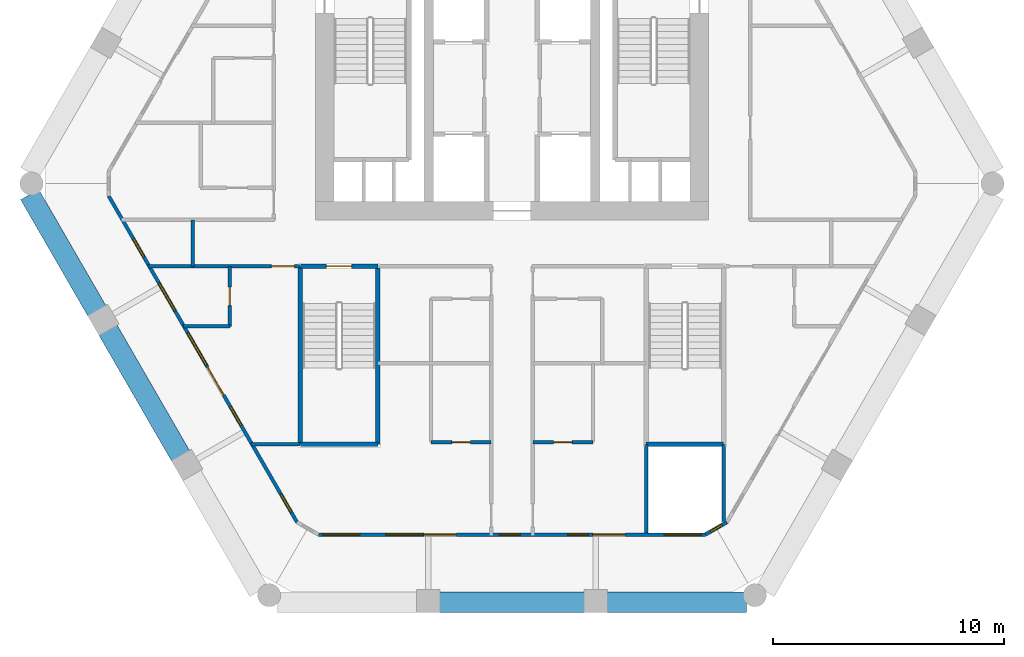
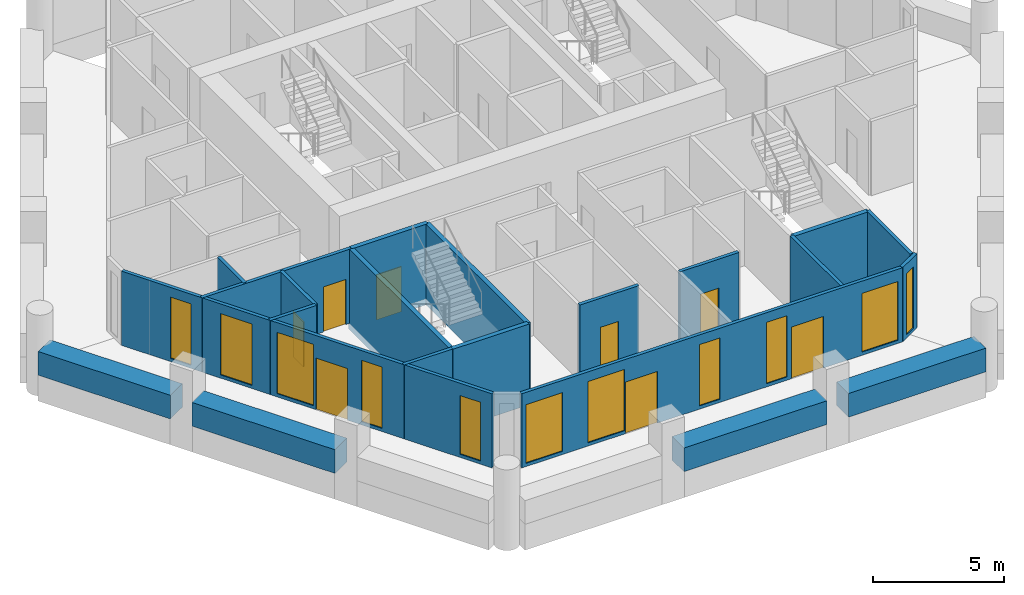
# One storey, part 2 of 7: 21 walls, 11 windows, 8 doors, 19 openings.
"""IFC4 building model written with IfcOpenShell, lengths in metres."""

from ifc_helpers import new_model, si_unit, direction, frame, frame_2d, origin, place, context, subcontext, project, spatial, rectangle, extrude, material, layer, layer_set, type_object, element, fill, save


model = new_model("IFC4")

# Units and contexts
model_context = context("Model", 3, precision=1e-05, world=origin(), true_north=direction((0.0, 1.0)))
body_context = subcontext(model_context, "Body", "Model", "MODEL_VIEW")
ifc_project = project(units=[si_unit("LENGTHUNIT", "METRE"), si_unit("AREAUNIT", "SQUARE_METRE"), si_unit("VOLUMEUNIT", "CUBIC_METRE"), si_unit("PLANEANGLEUNIT", "RADIAN"), si_unit("MASSUNIT", "GRAM", prefix="KILO")], contexts=[model_context])

# Site, building, storey
site_placement = place(None, origin())
site = spatial("IfcSite", under=ifc_project, at=site_placement, CompositionType="ELEMENT")
building_placement = place(site_placement, origin())
building = spatial("IfcBuilding", under=site, at=building_placement, Name="Ostrander Bayou Hotel Tower", CompositionType="ELEMENT")
storey_placement = place(building_placement, frame((0.0, 0.0, 160.75)))
storey = spatial("IfcBuildingStorey", under=building, at=storey_placement, Name="L39", CompositionType="ELEMENT", Elevation=160.75)

# Wall, openings, door, windows
ifc_material_1 = material(Name="Aluminium framed insulated wall", Category="aluminium")
ifc_layer_1 = layer(ifc_material_1, 0.14990234375)
ifc_layer_set_1 = layer_set([ifc_layer_1], Name="GW1 glass-line wall 150 mm")
wall_type_1 = type_object("IfcWallType", Name="GW1 glass-line wall 150 mm", PredefinedType="SOLIDWALL", material=ifc_layer_set_1)
wall_1_placement = place(storey_placement, frame((-17.42822265625, -0.663330078125, 0.0), z_axis=(0.0, 0.0, 1.0), x_axis=(0.499985985267, -0.866033495043, 0.0)))
wall_1 = element("IfcWall", 1, at=wall_1_placement, inside=storey, type_object=wall_type_1, Name="GW1 L39 SW 1", PredefinedType="SOLIDWALL", context=body_context, shape_type="SweptSolid", body=[
    extrude(rectangle(XDim=16.279296875, YDim=0.14990234375, at=frame_2d((8.1396484375, 0.0))), origin(), (0.0, 0.0, 1.0), 3.449951171875),
])
opening_1_placement = place(wall_1_placement, frame((2.1396484375, 0.0, 0.14990234375)))
opening_1 = element("IfcOpeningElement", 2, at=opening_1_placement, cuts=wall_1, Name="Opening W17", PredefinedType="OPENING", context=body_context, shape_type="SweptSolid", body=[
    extrude(rectangle(XDim=0.89990234375, YDim=2.85009765625, at=frame_2d((0.449951171875, 1.425048828125))), frame((0.0, 0.074951171875, 0.0), z_axis=(0.0, -1.0, 0.0), x_axis=(1.0, 0.0, 0.0)), (0.0, 0.0, 1.0), 0.14990234375),
])
opening_2_placement = place(wall_1_placement, frame((4.339599609375, 0.0, 0.14990234375)))
opening_2 = element("IfcOpeningElement", 3, at=opening_2_placement, cuts=wall_1, Name="Opening W13", PredefinedType="OPENING", context=body_context, shape_type="SweptSolid", body=[
    extrude(rectangle(XDim=1.39990234375, YDim=2.85009765625, at=frame_2d((0.699951171875, 1.425048828125))), frame((0.0, 0.074951171875, 0.0), z_axis=(0.0, -1.0, 0.0), x_axis=(1.0, 0.0, 0.0)), (0.0, 0.0, 1.0), 0.14990234375),
])
opening_3_placement = place(wall_1_placement, frame((6.83251953125, 0.0, 0.14990234375)))
opening_3 = element("IfcOpeningElement", 4, at=opening_3_placement, cuts=wall_1, Name="Opening W3", PredefinedType="OPENING", context=body_context, shape_type="SweptSolid", body=[
    extrude(rectangle(XDim=1.60009765625, YDim=2.85009765625, at=frame_2d((0.800048828125, 1.425048828125))), frame((0.0, 0.074951171875, 0.0), z_axis=(0.0, -1.0, 0.0), x_axis=(1.0, 0.0, 0.0)), (0.0, 0.0, 1.0), 0.14990234375),
])
opening_4_placement = place(wall_1_placement, frame((8.53955078125, 0.0, 0.0)))
opening_4 = element("IfcOpeningElement", 5, at=opening_4_placement, cuts=wall_1, Name="Opening T38-801", PredefinedType="OPENING", context=body_context, shape_type="SweptSolid", body=[
    extrude(rectangle(XDim=1.39990234375, YDim=2.39990234375, at=frame_2d((0.699951171875, 1.199951171875))), frame((0.0, 0.074951171875, 0.0), z_axis=(0.0, -1.0, 0.0), x_axis=(1.0, 0.0, 0.0)), (0.0, 0.0, 1.0), 0.14990234375),
])
opening_5_placement = place(wall_1_placement, frame((10.53955078125, 0.0, 0.14990234375)))
opening_5 = element("IfcOpeningElement", 6, at=opening_5_placement, cuts=wall_1, Name="Opening W17", PredefinedType="OPENING", context=body_context, shape_type="SweptSolid", body=[
    extrude(rectangle(XDim=0.89990234375, YDim=2.85009765625, at=frame_2d((0.449951171875, 1.425048828125))), frame((0.0, 0.074951171875, 0.0), z_axis=(0.0, -1.0, 0.0), x_axis=(1.0, 0.0, 0.0)), (0.0, 0.0, 1.0), 0.14990234375),
])
opening_6_placement = place(wall_1_placement, frame((14.877197265625, 0.0, 0.14990234375)))
opening_6 = element("IfcOpeningElement", 7, at=opening_6_placement, cuts=wall_1, Name="Opening W17", PredefinedType="OPENING", context=body_context, shape_type="SweptSolid", body=[
    extrude(rectangle(XDim=0.89990234375, YDim=2.72998046875, at=frame_2d((0.449951171875, 1.364990234375))), frame((0.0, 0.074951171875, 0.0), z_axis=(0.0, -1.0, 0.0), x_axis=(1.0, 0.0, 0.0)), (0.0, 0.0, 1.0), 0.14990234375),
])
ifc_material_2 = material(Name="Aluminium and clear glass", Category="aluminium")
door_type_1 = type_object("IfcDoorType", Name="SD3 sliding glass door 1400 mm, zone 3", OperationType="SLIDING_TO_LEFT", PredefinedType="DOOR", material=ifc_material_2)
door_1_placement = place(opening_4_placement, origin())
door_1 = element("IfcDoor", 8, at=door_1_placement, inside=storey, type_object=door_type_1, Name="SD3 L39 SW 2", OperationType="SLIDING_TO_RIGHT", OverallHeight=2.39990234375, OverallWidth=1.39990234375, PredefinedType="DOOR", context=body_context, shape_type="SweptSolid", body=[
    extrude(rectangle(XDim=1.39990234375, YDim=2.39990234375, at=frame_2d((0.699951171875, 1.199951171875))), frame((0.0, 0.02490234375, 0.0), z_axis=(0.0, -1.0, 0.0), x_axis=(1.0, 0.0, 0.0)), (0.0, 0.0, 1.0), 0.050048828125),
])
fill(opening_4, door_1)
ifc_material_3 = material(Name="Aluminium and clear glass", Category="aluminium")
window_type_1 = type_object("IfcWindowType", Name="W13 fixed window 1400 mm, bath bay, zone 3", PartitioningType="SINGLE_PANEL", PredefinedType="WINDOW", material=ifc_material_3)
window_1_placement = place(opening_2_placement, origin())
window_1 = element("IfcWindow", 9, at=window_1_placement, inside=storey, type_object=window_type_1, Name="W13 L39 SW 1", OverallHeight=2.85009765625, OverallWidth=1.39990234375, PartitioningType="SINGLE_PANEL", PredefinedType="WINDOW", context=body_context, shape_type="SweptSolid", body=[
    extrude(rectangle(XDim=1.39990234375, YDim=2.85009765625, at=frame_2d((0.699951171875, 1.425048828125))), frame((0.0, 0.030029296875, 0.0), z_axis=(0.0, -1.0, 0.0), x_axis=(1.0, 0.0, 0.0)), (0.0, 0.0, 1.0), 0.06005859375),
])
fill(opening_2, window_1)
ifc_material_4 = material(Name="Aluminium and clear glass", Category="aluminium")
window_type_2 = type_object("IfcWindowType", Name="W17 window 900 mm, zone 3", PartitioningType="SINGLE_PANEL", PredefinedType="WINDOW", material=ifc_material_4)
window_2_placement = place(opening_1_placement, origin())
window_2 = element("IfcWindow", 10, at=window_2_placement, inside=storey, type_object=window_type_2, Name="W17 L39 SW 1", OverallHeight=2.85009765625, OverallWidth=0.89990234375, PartitioningType="SINGLE_PANEL", PredefinedType="WINDOW", context=body_context, shape_type="SweptSolid", body=[
    extrude(rectangle(XDim=0.89990234375, YDim=2.85009765625, at=frame_2d((0.449951171875, 1.425048828125))), frame((0.0, 0.030029296875, 0.0), z_axis=(0.0, -1.0, 0.0), x_axis=(1.0, 0.0, 0.0)), (0.0, 0.0, 1.0), 0.06005859375),
])
fill(opening_1, window_2)
window_3_placement = place(opening_5_placement, origin())
window_3 = element("IfcWindow", 11, at=window_3_placement, inside=storey, type_object=window_type_2, Name="W17 L39 SW 3", OverallHeight=2.85009765625, OverallWidth=0.89990234375, PartitioningType="SINGLE_PANEL", PredefinedType="WINDOW", context=body_context, shape_type="SweptSolid", body=[
    extrude(rectangle(XDim=0.89990234375, YDim=2.85009765625, at=frame_2d((0.449951171875, 1.425048828125))), frame((0.0, 0.030029296875, 0.0), z_axis=(0.0, -1.0, 0.0), x_axis=(1.0, 0.0, 0.0)), (0.0, 0.0, 1.0), 0.06005859375),
])
fill(opening_5, window_3)
window_4_placement = place(opening_6_placement, origin())
window_4 = element("IfcWindow", 12, at=window_4_placement, inside=storey, type_object=window_type_2, Name="W17 L39 SW E21", OverallHeight=2.72998046875, OverallWidth=0.89990234375, PartitioningType="SINGLE_PANEL", PredefinedType="WINDOW", context=body_context, shape_type="SweptSolid", body=[
    extrude(rectangle(XDim=0.89990234375, YDim=2.72998046875, at=frame_2d((0.449951171875, 1.364990234375))), frame((0.0, 0.030029296875, 0.0), z_axis=(0.0, -1.0, 0.0), x_axis=(1.0, 0.0, 0.0)), (0.0, 0.0, 1.0), 0.06005859375),
])
fill(opening_6, window_4)
ifc_material_5 = material(Name="Aluminium and clear glass", Category="aluminium")
window_type_3 = type_object("IfcWindowType", Name="W3 fixed window 1600 mm, zone 3", PartitioningType="SINGLE_PANEL", PredefinedType="WINDOW", material=ifc_material_5)
window_5_placement = place(opening_3_placement, origin())
window_5 = element("IfcWindow", 13, at=window_5_placement, inside=storey, type_object=window_type_3, Name="W3 L39 SW 2", OverallHeight=2.85009765625, OverallWidth=1.60009765625, PartitioningType="SINGLE_PANEL", PredefinedType="WINDOW", context=body_context, shape_type="SweptSolid", body=[
    extrude(rectangle(XDim=1.60009765625, YDim=2.85009765625, at=frame_2d((0.800048828125, 1.425048828125))), frame((0.0, 0.030029296875, 0.0), z_axis=(0.0, -1.0, 0.0), x_axis=(1.0, 0.0, 0.0)), (0.0, 0.0, 1.0), 0.06005859375),
])
fill(opening_3, window_5)

# Wall, openings, doors, windows
wall_2_placement = place(storey_placement, frame((-8.3662109375, -15.294189453125, 0.0), z_axis=(0.0, 0.0, 1.0), x_axis=(1.0, 0.0, 0.0)))
wall_2 = element("IfcWall", 14, at=wall_2_placement, inside=storey, type_object=wall_type_1, Name="GW1 L39 S 1", PredefinedType="SOLIDWALL", context=body_context, shape_type="SweptSolid", body=[
    extrude(rectangle(XDim=16.732421875, YDim=0.14990234375, at=frame_2d((8.3662109375, 0.0))), origin(), (0.0, 0.0, 1.0), 3.449951171875),
])
opening_7_placement = place(wall_2_placement, frame((2.916259765625, 0.0, 0.14990234375)))
opening_7 = element("IfcOpeningElement", 15, at=opening_7_placement, cuts=wall_2, Name="Opening W3", PredefinedType="OPENING", context=body_context, shape_type="SweptSolid", body=[
    extrude(rectangle(XDim=1.60009765625, YDim=2.85009765625, at=frame_2d((0.800048828125, 1.425048828125))), frame((0.0, 0.074951171875, 0.0), z_axis=(0.0, -1.0, 0.0), x_axis=(1.0, 0.0, 0.0)), (0.0, 0.0, 1.0), 0.14990234375),
])
opening_8_placement = place(wall_2_placement, frame((4.56640625, 0.0, 0.0)))
opening_8 = element("IfcOpeningElement", 16, at=opening_8_placement, cuts=wall_2, Name="Opening T38-802", PredefinedType="OPENING", context=body_context, shape_type="SweptSolid", body=[
    extrude(rectangle(XDim=1.39990234375, YDim=2.39990234375, at=frame_2d((0.699951171875, 1.199951171875))), frame((0.0, 0.074951171875, 0.0), z_axis=(0.0, -1.0, 0.0), x_axis=(1.0, 0.0, 0.0)), (0.0, 0.0, 1.0), 0.14990234375),
])
opening_9_placement = place(wall_2_placement, frame((7.81640625, 0.0, 0.14990234375)))
opening_9 = element("IfcOpeningElement", 17, at=opening_9_placement, cuts=wall_2, Name="Opening W17", PredefinedType="OPENING", context=body_context, shape_type="SweptSolid", body=[
    extrude(rectangle(XDim=0.89990234375, YDim=2.85009765625, at=frame_2d((0.449951171875, 1.425048828125))), frame((0.0, 0.074951171875, 0.0), z_axis=(0.0, -1.0, 0.0), x_axis=(1.0, 0.0, 0.0)), (0.0, 0.0, 1.0), 0.14990234375),
])
opening_10_placement = place(wall_2_placement, frame((10.766357421875, 0.0, 0.14990234375)))
opening_10 = element("IfcOpeningElement", 18, at=opening_10_placement, cuts=wall_2, Name="Opening W17", PredefinedType="OPENING", context=body_context, shape_type="SweptSolid", body=[
    extrude(rectangle(XDim=0.89990234375, YDim=2.85009765625, at=frame_2d((0.449951171875, 1.425048828125))), frame((0.0, 0.074951171875, 0.0), z_axis=(0.0, -1.0, 0.0), x_axis=(1.0, 0.0, 0.0)), (0.0, 0.0, 1.0), 0.14990234375),
])
opening_11_placement = place(wall_2_placement, frame((11.8662109375, 0.0, 0.0)))
opening_11 = element("IfcOpeningElement", 19, at=opening_11_placement, cuts=wall_2, Name="Opening T38-803", PredefinedType="OPENING", context=body_context, shape_type="SweptSolid", body=[
    extrude(rectangle(XDim=1.39990234375, YDim=2.39990234375, at=frame_2d((0.699951171875, 1.199951171875))), frame((0.0, 0.074951171875, 0.0), z_axis=(0.0, -1.0, 0.0), x_axis=(1.0, 0.0, 0.0)), (0.0, 0.0, 1.0), 0.14990234375),
])
opening_12_placement = place(wall_2_placement, frame((0.18310546875, 0.0, 0.14990234375)))
opening_12 = element("IfcOpeningElement", 20, at=opening_12_placement, cuts=wall_2, Name="Opening W3", PredefinedType="OPENING", context=body_context, shape_type="SweptSolid", body=[
    extrude(rectangle(XDim=1.60009765625, YDim=2.72998046875, at=frame_2d((0.800048828125, 1.364990234375))), frame((0.0, 0.074951171875, 0.0), z_axis=(0.0, -1.0, 0.0), x_axis=(1.0, 0.0, 0.0)), (0.0, 0.0, 1.0), 0.14990234375),
])
opening_13_placement = place(wall_2_placement, frame((14.949462890625, 0.0, 0.14990234375)))
opening_13 = element("IfcOpeningElement", 21, at=opening_13_placement, cuts=wall_2, Name="Opening W3", PredefinedType="OPENING", context=body_context, shape_type="SweptSolid", body=[
    extrude(rectangle(XDim=1.60009765625, YDim=2.72998046875, at=frame_2d((0.800048828125, 1.364990234375))), frame((0.0, 0.074951171875, 0.0), z_axis=(0.0, -1.0, 0.0), x_axis=(1.0, 0.0, 0.0)), (0.0, 0.0, 1.0), 0.14990234375),
])
door_2_placement = place(opening_8_placement, origin())
door_2 = element("IfcDoor", 22, at=door_2_placement, inside=storey, type_object=door_type_1, Name="SD3 L39 S 1", OperationType="SLIDING_TO_LEFT", OverallHeight=2.39990234375, OverallWidth=1.39990234375, PredefinedType="DOOR", context=body_context, shape_type="SweptSolid", body=[
    extrude(rectangle(XDim=1.39990234375, YDim=2.39990234375, at=frame_2d((0.699951171875, 1.199951171875))), frame((0.0, 0.02490234375, 0.0), z_axis=(0.0, -1.0, 0.0), x_axis=(1.0, 0.0, 0.0)), (0.0, 0.0, 1.0), 0.050048828125),
])
fill(opening_8, door_2)
door_3_placement = place(opening_11_placement, origin())
door_3 = element("IfcDoor", 23, at=door_3_placement, inside=storey, type_object=door_type_1, Name="SD3 L39 S 3", OperationType="SLIDING_TO_LEFT", OverallHeight=2.39990234375, OverallWidth=1.39990234375, PredefinedType="DOOR", context=body_context, shape_type="SweptSolid", body=[
    extrude(rectangle(XDim=1.39990234375, YDim=2.39990234375, at=frame_2d((0.699951171875, 1.199951171875))), frame((0.0, 0.02490234375, 0.0), z_axis=(0.0, -1.0, 0.0), x_axis=(1.0, 0.0, 0.0)), (0.0, 0.0, 1.0), 0.050048828125),
])
fill(opening_11, door_3)
window_6_placement = place(opening_9_placement, origin())
window_6 = element("IfcWindow", 24, at=window_6_placement, inside=storey, type_object=window_type_2, Name="W17 L39 S 2", OverallHeight=2.85009765625, OverallWidth=0.89990234375, PartitioningType="SINGLE_PANEL", PredefinedType="WINDOW", context=body_context, shape_type="SweptSolid", body=[
    extrude(rectangle(XDim=0.89990234375, YDim=2.85009765625, at=frame_2d((0.449951171875, 1.425048828125))), frame((0.0, 0.030029296875, 0.0), z_axis=(0.0, -1.0, 0.0), x_axis=(1.0, 0.0, 0.0)), (0.0, 0.0, 1.0), 0.06005859375),
])
fill(opening_9, window_6)
window_7_placement = place(opening_10_placement, origin())
window_7 = element("IfcWindow", 25, at=window_7_placement, inside=storey, type_object=window_type_2, Name="W17 L39 S 3", OverallHeight=2.85009765625, OverallWidth=0.89990234375, PartitioningType="SINGLE_PANEL", PredefinedType="WINDOW", context=body_context, shape_type="SweptSolid", body=[
    extrude(rectangle(XDim=0.89990234375, YDim=2.85009765625, at=frame_2d((0.449951171875, 1.425048828125))), frame((0.0, 0.030029296875, 0.0), z_axis=(0.0, -1.0, 0.0), x_axis=(1.0, 0.0, 0.0)), (0.0, 0.0, 1.0), 0.06005859375),
])
fill(opening_10, window_7)
window_8_placement = place(opening_7_placement, origin())
window_8 = element("IfcWindow", 26, at=window_8_placement, inside=storey, type_object=window_type_3, Name="W3 L39 S 1", OverallHeight=2.85009765625, OverallWidth=1.60009765625, PartitioningType="SINGLE_PANEL", PredefinedType="WINDOW", context=body_context, shape_type="SweptSolid", body=[
    extrude(rectangle(XDim=1.60009765625, YDim=2.85009765625, at=frame_2d((0.800048828125, 1.425048828125))), frame((0.0, 0.030029296875, 0.0), z_axis=(0.0, -1.0, 0.0), x_axis=(1.0, 0.0, 0.0)), (0.0, 0.0, 1.0), 0.06005859375),
])
fill(opening_7, window_8)
window_9_placement = place(opening_12_placement, origin())
window_9 = element("IfcWindow", 27, at=window_9_placement, inside=storey, type_object=window_type_3, Name="W3 L39 S E11", OverallHeight=2.72998046875, OverallWidth=1.60009765625, PartitioningType="SINGLE_PANEL", PredefinedType="WINDOW", context=body_context, shape_type="SweptSolid", body=[
    extrude(rectangle(XDim=1.60009765625, YDim=2.72998046875, at=frame_2d((0.800048828125, 1.364990234375))), frame((0.0, 0.030029296875, 0.0), z_axis=(0.0, -1.0, 0.0), x_axis=(1.0, 0.0, 0.0)), (0.0, 0.0, 1.0), 0.06005859375),
])
fill(opening_12, window_9)
window_10_placement = place(opening_13_placement, origin())
window_10 = element("IfcWindow", 28, at=window_10_placement, inside=storey, type_object=window_type_3, Name="W3 L39 S E21", OverallHeight=2.72998046875, OverallWidth=1.60009765625, PartitioningType="SINGLE_PANEL", PredefinedType="WINDOW", context=body_context, shape_type="SweptSolid", body=[
    extrude(rectangle(XDim=1.60009765625, YDim=2.72998046875, at=frame_2d((0.800048828125, 1.364990234375))), frame((0.0, 0.030029296875, 0.0), z_axis=(0.0, -1.0, 0.0), x_axis=(1.0, 0.0, 0.0)), (0.0, 0.0, 1.0), 0.06005859375),
])
fill(opening_13, window_10)

# Wall, opening, window
wall_3_placement = place(storey_placement, frame((8.3662109375, -15.294189453125, 0.0), z_axis=(0.0, 0.0, 1.0), x_axis=(0.866105447774, 0.499861334108, 0.0)))
wall_3 = element("IfcWall", 29, at=wall_3_placement, inside=storey, type_object=wall_type_1, Name="GW1 L39 corner 4", PredefinedType="SOLIDWALL", context=body_context, shape_type="SweptSolid", body=[
    extrude(rectangle(XDim=1.065185546875, YDim=0.14990234375, at=frame_2d((0.53271484375, 0.0))), origin(), (0.0, 0.0, 1.0), 3.449951171875),
])
opening_14_placement = place(wall_3_placement, frame((0.257568359375, 0.0, 0.14990234375)))
opening_14 = element("IfcOpeningElement", 30, at=opening_14_placement, cuts=wall_3, Name="Opening W19", PredefinedType="OPENING", context=body_context, shape_type="SweptSolid", body=[
    extrude(rectangle(XDim=0.550048828125, YDim=2.85009765625, at=frame_2d((0.27490234375, 1.425048828125))), frame((0.0, 0.074951171875, 0.0), z_axis=(0.0, -1.0, 0.0), x_axis=(1.0, 0.0, 0.0)), (0.0, 0.0, 1.0), 0.14990234375),
])
ifc_material_6 = material(Name="Aluminium and clear glass", Category="aluminium")
window_type_4 = type_object("IfcWindowType", Name="W19 corner window 550 mm", PartitioningType="SINGLE_PANEL", PredefinedType="WINDOW", material=ifc_material_6)
window_11_placement = place(opening_14_placement, origin())
window_11 = element("IfcWindow", 31, at=window_11_placement, inside=storey, type_object=window_type_4, Name="W19 L39 corner 4", OverallHeight=2.85009765625, OverallWidth=0.550048828125, PartitioningType="SINGLE_PANEL", PredefinedType="WINDOW", context=body_context, shape_type="SweptSolid", body=[
    extrude(rectangle(XDim=0.550048828125, YDim=2.85009765625, at=frame_2d((0.27490234375, 1.425048828125))), frame((0.0, 0.030029296875, 0.0), z_axis=(0.0, -1.0, 0.0), x_axis=(1.0, 0.0, 0.0)), (0.0, 0.0, 1.0), 0.06005859375),
])
fill(opening_14, window_11)

# Walls
ifc_material_7 = material(Name="Concrete f'c 40 MPa", Category="concrete")
ifc_layer_2 = layer(ifc_material_7, 0.89990234375)
ifc_layer_set_2 = layer_set([ifc_layer_2], Name="PA1 stone-faced parapet 900 mm")
wall_type_2 = type_object("IfcWallType", Name="PA1 stone-faced parapet 900 mm", PredefinedType="PARAPET", material=ifc_layer_set_2)
wall_4_placement = place(storey_placement, frame((-3.148193359375, -18.218994140625, 0.0), z_axis=(0.0, 0.0, 1.0), x_axis=(1.0, 0.0, 0.0)))
element("IfcWall", 32, at=wall_4_placement, inside=storey, type_object=wall_type_2, Name="PA1 L39 S-2", PredefinedType="PARAPET", context=body_context, shape_type="SweptSolid", body=[
    extrude(rectangle(XDim=6.29638671875, YDim=0.89990234375, at=frame_2d((3.148193359375, 0.0))), origin(), (0.0, 0.0, 1.0), 1.10009765625),
])
wall_5_placement = place(storey_placement, frame((4.088134765625, -18.218994140625, 0.0), z_axis=(0.0, 0.0, 1.0), x_axis=(1.0, 0.0, 0.0)))
element("IfcWall", 33, at=wall_5_placement, inside=storey, type_object=wall_type_2, Name="PA1 L39 S-3", PredefinedType="PARAPET", context=body_context, shape_type="SweptSolid", body=[
    extrude(rectangle(XDim=6.03955078125, YDim=0.89990234375, at=frame_2d((3.019775390625, 0.0))), origin(), (0.0, 0.0, 1.0), 1.10009765625),
])
ifc_material_8 = material(Name="Limestone masonry", Category="masonry")
ifc_layer_3 = layer(ifc_material_8, 0.89990234375)
ifc_layer_set_3 = layer_set([ifc_layer_3], Name="PA2 limestone parapet 900 mm")
wall_type_3 = type_object("IfcWallType", Name="PA2 limestone parapet 900 mm", PredefinedType="PARAPET", material=ifc_layer_set_3)
wall_6_placement = place(storey_placement, frame((-20.842041015625, -0.6005859375, 0.0), z_axis=(0.0, 0.0, 1.0), x_axis=(0.500019366424, -0.866014222285, 0.0)))
element("IfcWall", 34, at=wall_6_placement, inside=storey, type_object=wall_type_3, Name="PA2 L39 SW-1", PredefinedType="PARAPET", context=body_context, shape_type="SweptSolid", body=[
    extrude(rectangle(XDim=5.812744140625, YDim=0.89990234375, at=frame_2d((2.90625, 0.0))), origin(), (0.0, 0.0, 1.0), 1.10009765625),
])
wall_7_placement = place(storey_placement, frame((-17.465576171875, -6.44873046875, 0.0), z_axis=(0.0, 0.0, 1.0), x_axis=(0.500013351051, -0.866017695414, 0.0)))
element("IfcWall", 35, at=wall_7_placement, inside=storey, type_object=wall_type_3, Name="PA2 L39 SW-2", PredefinedType="PARAPET", context=body_context, shape_type="SweptSolid", body=[
    extrude(rectangle(XDim=6.296142578125, YDim=0.89990234375, at=frame_2d((3.14794921875, 0.0))), origin(), (0.0, 0.0, 1.0), 1.10009765625),
])
ifc_material_9 = material(Name="Gypsum board partition", Category="finish")
ifc_layer_4 = layer(ifc_material_9, 0.14990234375)
ifc_layer_set_4 = layer_set([ifc_layer_4], Name="PT7 riser wall 150 mm, 2 hour")
wall_type_4 = type_object("IfcWallType", Name="PT7 riser wall 150 mm, 2 hour", PredefinedType="PARTITIONING", material=ifc_layer_set_4)
wall_8_placement = place(storey_placement, frame((5.800048828125, -11.39990234375, 0.0), z_axis=(0.0, 0.0, 1.0), x_axis=(0.0, -1.0, 0.0)))
element("IfcWall", 36, at=wall_8_placement, inside=storey, type_object=wall_type_4, Name="cs:L39:021", PredefinedType="PARTITIONING", context=body_context, shape_type="SweptSolid", body=[
    extrude(rectangle(XDim=3.819091796875, YDim=0.14990234375, at=frame_2d((1.90966796875, 0.0))), origin(), (0.0, 0.0, 1.0), 3.449951171875),
])
wall_9_placement = place(storey_placement, frame((9.14990234375, -11.39990234375, 0.0), z_axis=(0.0, 0.0, 1.0), x_axis=(0.0, -1.0, 0.0)))
element("IfcWall", 37, at=wall_9_placement, inside=storey, type_object=wall_type_4, Name="cs:L39:022", PredefinedType="PARTITIONING", context=body_context, shape_type="SweptSolid", body=[
    extrude(rectangle(XDim=3.323486328125, YDim=0.14990234375, at=frame_2d((1.66162109375, 0.0))), origin(), (0.0, 0.0, 1.0), 3.449951171875),
])
ifc_material_10 = material(Name="Gypsum board partition", Category="finish")
ifc_layer_5 = layer(ifc_material_10, 0.14990234375)
ifc_layer_set_5 = layer_set([ifc_layer_5], Name="PT8 service band wall 150 mm, 1 hour")
wall_type_5 = type_object("IfcWallType", Name="PT8 service band wall 150 mm, 1 hour", PredefinedType="PARTITIONING", material=ifc_layer_set_5)
wall_10_placement = place(storey_placement, frame((-11.281005859375, -11.39990234375, 0.0), z_axis=(0.0, 0.0, 1.0), x_axis=(1.0, 0.0, 0.0)))
element("IfcWall", 38, at=wall_10_placement, inside=storey, type_object=wall_type_5, Name="gw:L39:001", PredefinedType="PARTITIONING", context=body_context, shape_type="SweptSolid", body=[
    extrude(rectangle(XDim=2.12109375, YDim=0.14990234375, at=frame_2d((1.060546875, 0.0))), origin(), (0.0, 0.0, 1.0), 3.449951171875),
])

# Wall, opening, door
wall_11_placement = place(storey_placement, frame((-3.5, -11.300048828125, 0.0), z_axis=(0.0, 0.0, 1.0), x_axis=(1.0, 0.0, 0.0)))
wall_11 = element("IfcWall", 39, at=wall_11_placement, inside=storey, type_object=wall_type_5, Name="gw:L39:002", PredefinedType="PARTITIONING", context=body_context, shape_type="SweptSolid", body=[
    extrude(rectangle(XDim=2.60009765625, YDim=0.14990234375, at=frame_2d((1.300048828125, 0.0))), origin(), (0.0, 0.0, 1.0), 3.449951171875),
])
opening_15_placement = place(wall_11_placement, frame((0.89990234375, 0.0, 0.0)))
opening_15 = element("IfcOpeningElement", 40, at=opening_15_placement, cuts=wall_11, Name="Opening T38-405", PredefinedType="OPENING", context=body_context, shape_type="SweptSolid", body=[
    extrude(rectangle(XDim=0.800048828125, YDim=2.10009765625, at=frame_2d((0.39990234375, 1.050048828125))), frame((0.0, 0.074951171875, 0.0), z_axis=(0.0, -1.0, 0.0), x_axis=(1.0, 0.0, 0.0)), (0.0, 0.0, 1.0), 0.14990234375),
])
ifc_material_11 = material(Name="Timber door leaf", Category="wood")
door_type_2 = type_object("IfcDoorType", Name="D2 bathroom door 800 x 2100 mm", OperationType="SINGLE_SWING_LEFT", PredefinedType="DOOR", material=ifc_material_11)
door_4_placement = place(opening_15_placement, origin())
door_4 = element("IfcDoor", 41, at=door_4_placement, inside=storey, type_object=door_type_2, Name="dr:L39:405", OperationType="SINGLE_SWING_RIGHT", OverallHeight=2.10009765625, OverallWidth=0.800048828125, PredefinedType="DOOR", context=body_context, shape_type="SweptSolid", body=[
    extrude(rectangle(XDim=0.800048828125, YDim=2.10009765625, at=frame_2d((0.39990234375, 1.050048828125))), frame((0.0, 0.02490234375, 0.0), z_axis=(0.0, -1.0, 0.0), x_axis=(1.0, 0.0, 0.0)), (0.0, 0.0, 1.0), 0.050048828125),
])
fill(opening_15, door_4)

wall_12_placement = place(storey_placement, frame((0.89990234375, -11.300048828125, 0.0), z_axis=(0.0, 0.0, 1.0), x_axis=(1.0, 0.0, 0.0)))
wall_12 = element("IfcWall", 42, at=wall_12_placement, inside=storey, type_object=wall_type_5, Name="gw:L39:003", PredefinedType="PARTITIONING", context=body_context, shape_type="SweptSolid", body=[
    extrude(rectangle(XDim=2.60009765625, YDim=0.14990234375, at=frame_2d((1.300048828125, 0.0))), origin(), (0.0, 0.0, 1.0), 3.449951171875),
])
opening_16_placement = place(wall_12_placement, frame((0.89990234375, 0.0, 0.0)))
opening_16 = element("IfcOpeningElement", 43, at=opening_16_placement, cuts=wall_12, Name="Opening T38-409", PredefinedType="OPENING", context=body_context, shape_type="SweptSolid", body=[
    extrude(rectangle(XDim=0.800048828125, YDim=2.10009765625, at=frame_2d((0.39990234375, 1.050048828125))), frame((0.0, 0.074951171875, 0.0), z_axis=(0.0, -1.0, 0.0), x_axis=(1.0, 0.0, 0.0)), (0.0, 0.0, 1.0), 0.14990234375),
])
door_5_placement = place(opening_16_placement, origin())
door_5 = element("IfcDoor", 44, at=door_5_placement, inside=storey, type_object=door_type_2, Name="dr:L39:409", OperationType="SINGLE_SWING_LEFT", OverallHeight=2.10009765625, OverallWidth=0.800048828125, PredefinedType="DOOR", context=body_context, shape_type="SweptSolid", body=[
    extrude(rectangle(XDim=0.800048828125, YDim=2.10009765625, at=frame_2d((0.39990234375, 1.050048828125))), frame((0.0, 0.02490234375, 0.0), z_axis=(0.0, -1.0, 0.0), x_axis=(1.0, 0.0, 0.0)), (0.0, 0.0, 1.0), 0.050048828125),
])
fill(opening_16, door_5)

# Wall
wall_13_placement = place(storey_placement, frame((-14.22607421875, -6.300048828125, 0.0), z_axis=(0.0, 0.0, 1.0), x_axis=(1.0, 0.0, 0.0)))
element("IfcWall", 45, at=wall_13_placement, inside=storey, type_object=wall_type_5, Name="gw:L39:006", PredefinedType="PARTITIONING", context=body_context, shape_type="SweptSolid", body=[
    extrude(rectangle(XDim=2.031005859375, YDim=0.14990234375, at=frame_2d((1.015625, 0.0))), origin(), (0.0, 0.0, 1.0), 3.449951171875),
])

# Wall, opening, door
wall_14_placement = place(storey_placement, frame((-15.72705078125, -3.699951171875, 0.0), z_axis=(0.0, 0.0, 1.0), x_axis=(1.0, 0.0, 0.0)))
wall_14 = element("IfcWall", 46, at=wall_14_placement, inside=storey, type_object=wall_type_5, Name="gw:L39:010", PredefinedType="PARTITIONING", context=body_context, shape_type="SweptSolid", body=[
    extrude(rectangle(XDim=6.567138671875, YDim=0.14990234375, at=frame_2d((3.28369140625, 0.0))), origin(), (0.0, 0.0, 1.0), 3.449951171875),
])
opening_17_placement = place(wall_14_placement, frame((5.326904296875, 0.0, 0.0)))
opening_17 = element("IfcOpeningElement", 47, at=opening_17_placement, cuts=wall_14, Name="Opening T38-400", PredefinedType="OPENING", context=body_context, shape_type="SweptSolid", body=[
    extrude(rectangle(XDim=1.0, YDim=2.10009765625, at=frame_2d((0.5, 1.050048828125))), frame((0.0, 0.074951171875, 0.0), z_axis=(0.0, -1.0, 0.0), x_axis=(1.0, 0.0, 0.0)), (0.0, 0.0, 1.0), 0.14990234375),
])
ifc_material_12 = material(Name="Timber door leaf", Category="wood")
door_type_3 = type_object("IfcDoorType", Name="D1 guest room door 1000 x 2100 mm, 30 minute", OperationType="SINGLE_SWING_LEFT", PredefinedType="DOOR", material=ifc_material_12)
door_6_placement = place(opening_17_placement, origin())
door_6 = element("IfcDoor", 48, at=door_6_placement, inside=storey, type_object=door_type_3, Name="dr:L39:400", OperationType="SINGLE_SWING_RIGHT", OverallHeight=2.10009765625, OverallWidth=1.0, PredefinedType="DOOR", context=body_context, shape_type="SweptSolid", body=[
    extrude(rectangle(XDim=1.0, YDim=2.10009765625, at=frame_2d((0.5, 1.050048828125))), frame((0.0, 0.02490234375, 0.0), z_axis=(0.0, -1.0, 0.0), x_axis=(1.0, 0.0, 0.0)), (0.0, 0.0, 1.0), 0.050048828125),
])
fill(opening_17, door_6)

wall_15_placement = place(storey_placement, frame((-12.195068359375, -6.300048828125, 0.0), z_axis=(0.0, 0.0, 1.0), x_axis=(0.0, 1.0, 0.0)))
wall_15 = element("IfcWall", 49, at=wall_15_placement, inside=storey, type_object=wall_type_5, Name="gw:L39:036", PredefinedType="PARTITIONING", context=body_context, shape_type="SweptSolid", body=[
    extrude(rectangle(XDim=2.60009765625, YDim=0.14990234375, at=frame_2d((1.300048828125, 0.0))), origin(), (0.0, 0.0, 1.0), 3.449951171875),
])
opening_18_placement = place(wall_15_placement, frame((0.89990234375, 0.0, 0.0)))
opening_18 = element("IfcOpeningElement", 50, at=opening_18_placement, cuts=wall_15, Name="Opening T38-401", PredefinedType="OPENING", context=body_context, shape_type="SweptSolid", body=[
    extrude(rectangle(XDim=0.800048828125, YDim=2.10009765625, at=frame_2d((0.39990234375, 1.050048828125))), frame((0.0, 0.074951171875, 0.0), z_axis=(0.0, -1.0, 0.0), x_axis=(1.0, 0.0, 0.0)), (0.0, 0.0, 1.0), 0.14990234375),
])
door_7_placement = place(opening_18_placement, origin())
door_7 = element("IfcDoor", 51, at=door_7_placement, inside=storey, type_object=door_type_2, Name="dr:L39:401", OperationType="SINGLE_SWING_RIGHT", OverallHeight=2.10009765625, OverallWidth=0.800048828125, PredefinedType="DOOR", context=body_context, shape_type="SweptSolid", body=[
    extrude(rectangle(XDim=0.800048828125, YDim=2.10009765625, at=frame_2d((0.39990234375, 1.050048828125))), frame((0.0, 0.02490234375, 0.0), z_axis=(0.0, -1.0, 0.0), x_axis=(1.0, 0.0, 0.0)), (0.0, 0.0, 1.0), 0.050048828125),
])
fill(opening_18, door_7)

# Walls
wall_16_placement = place(storey_placement, frame((-13.800048828125, -3.699951171875, 0.0), z_axis=(0.0, 0.0, 1.0), x_axis=(0.0, 1.0, 0.0)))
element("IfcWall", 52, at=wall_16_placement, inside=storey, type_object=wall_type_5, Name="gw:L39:039", PredefinedType="PARTITIONING", context=body_context, shape_type="SweptSolid", body=[
    extrude(rectangle(XDim=2.0, YDim=0.14990234375, at=frame_2d((1.0, 0.0))), origin(), (0.0, 0.0, 1.0), 3.449951171875),
])
ifc_material_13 = material(Name="Concrete f'c 45 MPa", Category="concrete")
ifc_layer_6 = layer(ifc_material_13, 0.199951171875)
ifc_layer_set_6 = layer_set([ifc_layer_6], Name="SW5 stair enclosure wall 200 mm f'c 45 MPa")
wall_type_6 = type_object("IfcWallType", Name="SW5 stair enclosure wall 200 mm f'c 45 MPa", PredefinedType="SOLIDWALL", material=ifc_layer_set_6)
wall_17_placement = place(storey_placement, frame((5.800048828125, -11.39990234375, -0.300048828125), z_axis=(0.0, 0.0, 1.0), x_axis=(1.0, 0.0, 0.0)))
element("IfcWall", 53, at=wall_17_placement, inside=storey, type_object=wall_type_6, Name="cs:L39:020", PredefinedType="SOLIDWALL", context=body_context, shape_type="SweptSolid", body=[
    extrude(rectangle(XDim=3.349853515625, YDim=0.199951171875, at=frame_2d((1.6748046875, 0.0))), origin(), (0.0, 0.0, 1.0), 3.75),
])

# Wall, opening, door
wall_18_placement = place(storey_placement, frame((-9.14990234375, -3.699951171875, -0.300048828125), z_axis=(0.0, 0.0, 1.0), x_axis=(1.0, 0.0, 0.0)))
wall_18 = element("IfcWall", 54, at=wall_18_placement, inside=storey, type_object=wall_type_6, Name="cs:L39:023", PredefinedType="SOLIDWALL", context=body_context, shape_type="SweptSolid", body=[
    extrude(rectangle(XDim=3.349853515625, YDim=0.199951171875, at=frame_2d((1.6748046875, 0.0))), origin(), (0.0, 0.0, 1.0), 3.75),
])
opening_19_placement = place(wall_18_placement, frame((1.125, 0.0, 0.0)))
opening_19 = element("IfcOpeningElement", 55, at=opening_19_placement, cuts=wall_18, Name="Opening T38-012", PredefinedType="OPENING", context=body_context, shape_type="SweptSolid", body=[
    extrude(rectangle(XDim=1.10009765625, YDim=2.10009765625, at=frame_2d((0.550048828125, 1.050048828125))), frame((0.0, 0.10009765625, 0.0), z_axis=(0.0, -1.0, 0.0), x_axis=(1.0, 0.0, 0.0)), (0.0, 0.0, 1.0), 0.199951171875),
])
ifc_material_14 = material(Name="Timber door leaf", Category="wood")
door_type_4 = type_object("IfcDoorType", Name="D5 stair door 1100 x 2100 mm, 90 minute", OperationType="SINGLE_SWING_LEFT", PredefinedType="DOOR", material=ifc_material_14)
door_8_placement = place(opening_19_placement, origin())
door_8 = element("IfcDoor", 56, at=door_8_placement, inside=storey, type_object=door_type_4, Name="dr:L39:012", OperationType="SINGLE_SWING_LEFT", OverallHeight=2.10009765625, OverallWidth=1.10009765625, PredefinedType="DOOR", context=body_context, shape_type="SweptSolid", body=[
    extrude(rectangle(XDim=1.10009765625, YDim=2.10009765625, at=frame_2d((0.550048828125, 1.050048828125))), frame((0.0, 0.02490234375, 0.0), z_axis=(0.0, -1.0, 0.0), x_axis=(1.0, 0.0, 0.0)), (0.0, 0.0, 1.0), 0.050048828125),
])
fill(opening_19, door_8)

# Walls
for number, where, z_axis, x_axis, name in (
    (57, (-9.14990234375, -3.699951171875, -0.300048828125), (0.0, 0.0, 1.0), (0.0, -1.0, 0.0), "cs:L39:024"),
    (58, (-5.800048828125, -3.699951171875, -0.300048828125), (0.0, 0.0, 1.0), (0.0, -1.0, 0.0), "cs:L39:025"),
):
    element("IfcWall", number, at=place(storey_placement, frame(where, z_axis=z_axis, x_axis=x_axis)), inside=storey, type_object=wall_type_6, Name=name, PredefinedType="SOLIDWALL", context=body_context, shape_type="SweptSolid", body=[
        extrude(rectangle(XDim=7.699951171875, YDim=0.199951171875, at=frame_2d((3.85009765625, 0.0))), origin(), (0.0, 0.0, 1.0), 3.75),
    ])
wall_19_placement = place(storey_placement, frame((-9.14990234375, -11.39990234375, -0.300048828125), z_axis=(0.0, 0.0, 1.0), x_axis=(1.0, 0.0, 0.0)))
element("IfcWall", 59, at=wall_19_placement, inside=storey, type_object=wall_type_6, Name="cs:L39:026", PredefinedType="SOLIDWALL", context=body_context, shape_type="SweptSolid", body=[
    extrude(rectangle(XDim=3.349853515625, YDim=0.199951171875, at=frame_2d((1.6748046875, 0.0))), origin(), (0.0, 0.0, 1.0), 3.75),
])

save(model, "model.ifc")
